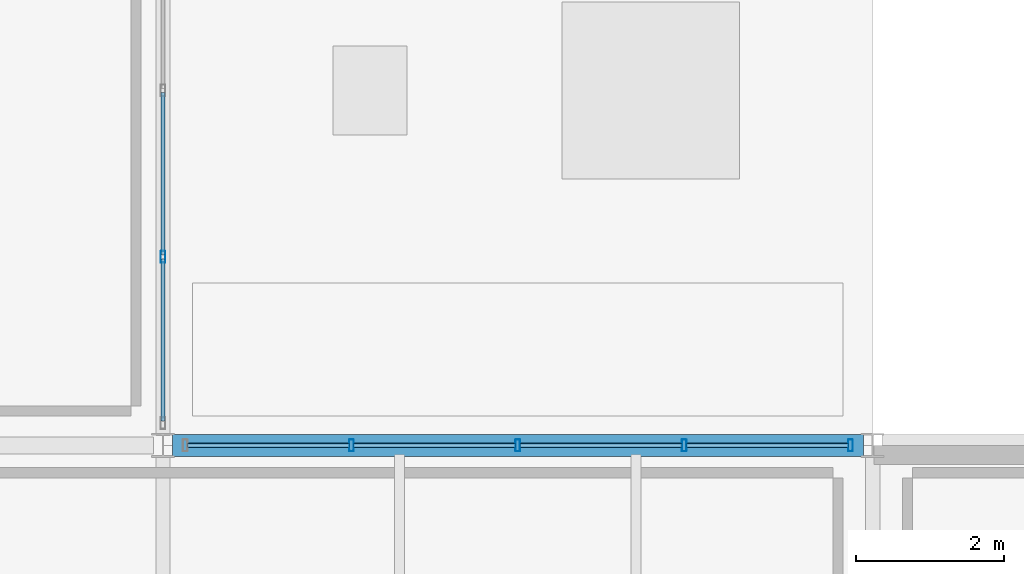
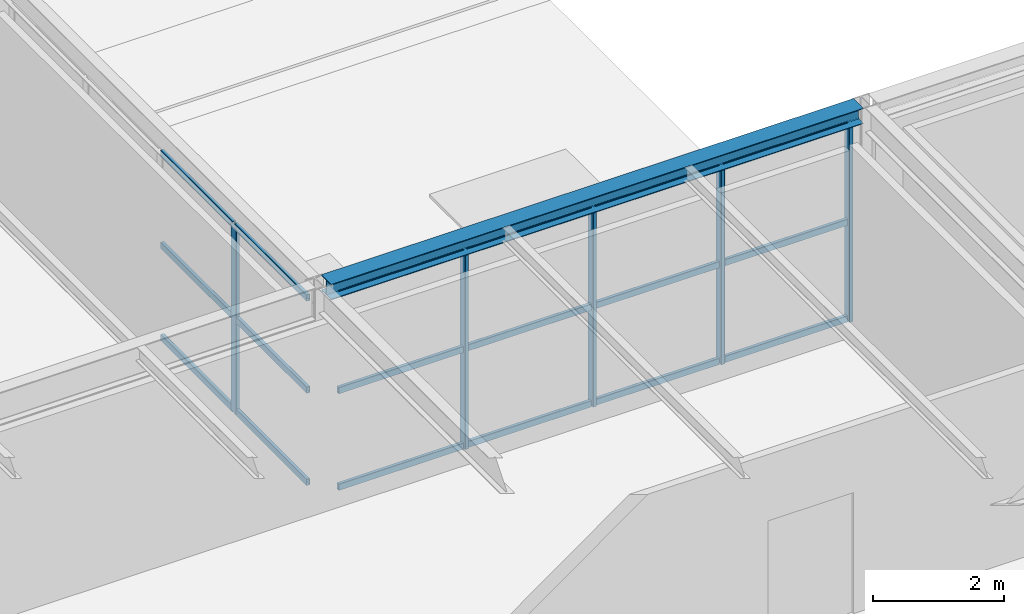
# One storey, part 16 of 50: 23 members, 1 beam, 2 elements without a shape of their own.
"""IFC4 building model written with IfcOpenShell, lengths in metres."""

import ifcopenshell
import ifcopenshell.guid

model = None  # the IFC model being written
_history = None  # IfcOwnerHistory: only IFC2X3 demands one
_inside = {}  # id of a spatial element -> (the spatial element, [elements in it])
_under = {}  # id of a project, library or spatial element -> (it, [spatial elements below it])
_declared = {}  # id of a project -> (the project, [libraries it declares])
_typed = {}  # id of a type object -> (the type object, [elements of that type])
_made_of = {}  # id of a material, layer set ... -> (it, [elements and type objects made of it])


def new_model(schema):
    """Start an empty IFC model of exactly this schema.

    Asked for "IFC4X3", IfcOpenShell would pick the latest addendum, in which some entities
    have other attributes; the version numbers below select the first issue.
    IFC2X3 requires an IfcOwnerHistory on every rooted entity: one is made here for all.
    """
    global model, _history
    if schema == "IFC4X3":
        model = ifcopenshell.file(schema_version=(4, 3, 0, 0))
    else:
        model = ifcopenshell.file(schema=schema)
    _inside.clear()
    _under.clear()
    _declared.clear()
    _typed.clear()
    _made_of.clear()
    _history = None
    if model.schema == "IFC2X3":
        org = make("IfcOrganization", Name="unknown")
        user = make(
            "IfcPersonAndOrganization",
            ThePerson=make("IfcPerson", FamilyName="unknown"),
            TheOrganization=org,
        )
        app = make(
            "IfcApplication",
            ApplicationDeveloper=org,
            Version="unknown",
            ApplicationFullName="unknown",
            ApplicationIdentifier="unknown",
        )
        _history = make(
            "IfcOwnerHistory",
            OwningUser=user,
            OwningApplication=app,
            ChangeAction="ADDED",
            CreationDate=0,
        )
    return model


def make(cls, **values):
    """One entity of the class cls with the attributes given. An attribute that is None is left unset."""
    return model.create_entity(
        cls, **{name: value for name, value in values.items() if value is not None}
    )


def rooted(cls, **values):
    """An entity with a GlobalId (a new one), such as an element, a storey or a relation."""
    return make(cls, GlobalId=ifcopenshell.guid.new(), OwnerHistory=_history, **values)


def si_unit(unit_type, name, prefix=None):
    """IfcSIUnit, for example si_unit("LENGTHUNIT", "METRE", prefix="MILLI")."""
    return make("IfcSIUnit", UnitType=unit_type, Prefix=prefix, Name=name)


def assignment(units):
    """IfcUnitAssignment: the units of a project."""
    return None if units is None else make("IfcUnitAssignment", Units=units)


def point(xyz):
    """IfcCartesianPoint."""
    return None if xyz is None else make("IfcCartesianPoint", Coordinates=xyz)


def direction(xyz):
    """IfcDirection."""
    return None if xyz is None else make("IfcDirection", DirectionRatios=xyz)


def frame(location, z_axis=None, x_axis=None):
    """IfcAxis2Placement3D, a coordinate frame: its origin and axes. An axis left out is left unset."""
    return make(
        "IfcAxis2Placement3D",
        Location=point(location),
        Axis=direction(z_axis),
        RefDirection=direction(x_axis),
    )


def frame_2d(location, x_axis=None):
    """IfcAxis2Placement2D, a coordinate frame in the plane: its origin and x axis."""
    return make(
        "IfcAxis2Placement2D", Location=point(location), RefDirection=direction(x_axis)
    )


def origin():
    """The frame at (0, 0, 0) with its axes left unset."""
    return frame((0.0, 0.0, 0.0))


def origin_2d():
    """The frame at (0, 0) in the plane with its x axis left unset."""
    return frame_2d((0.0, 0.0))


def place(relative_to, where):
    """IfcLocalPlacement: puts the frame where relative to a parent placement (None: the world)."""
    return make(
        "IfcLocalPlacement", PlacementRelTo=relative_to, RelativePlacement=where
    )


def context(
    kind, dimensions, precision=None, world=None, true_north=None, identifier=None
):
    """IfcGeometricRepresentationContext, for example the 3D "Model" context."""
    return make(
        "IfcGeometricRepresentationContext",
        ContextIdentifier=identifier,
        ContextType=kind,
        CoordinateSpaceDimension=dimensions,
        Precision=precision,
        WorldCoordinateSystem=world,
        TrueNorth=true_north,
    )


def subcontext(parent, identifier, kind, view, scale=None):
    """IfcGeometricRepresentationSubContext, for example "Body" below "Model"."""
    return make(
        "IfcGeometricRepresentationSubContext",
        ContextIdentifier=identifier,
        ContextType=kind,
        ParentContext=parent,
        TargetScale=scale,
        TargetView=view,
    )


def project(units=None, contexts=None):
    """IfcProject with its units and contexts."""
    return rooted(
        "IfcProject",
        Name="project",
        RepresentationContexts=contexts,
        UnitsInContext=assignment(units),
    )


def spatial(cls, under=None, at=None, **own):
    """A site, building, storey or space (cls), placed at a placement, below another one or the project."""
    s = rooted(cls, ObjectPlacement=at, **own)
    if under is not None:
        _under.setdefault(under.id(), (under, []))[1].append(s)
    return s


def profile(cls, at=None, kind="AREA", **sizes):
    """A parametric profile (cls). Its sizes go by their IFC names, for example OverallWidth=200.0."""
    return make(cls, ProfileType=kind, Position=at, **sizes)


def hollow_rectangle(**sizes):
    """IfcRectangleHollowProfileDef."""
    return profile("IfcRectangleHollowProfileDef", **sizes)


def i_section(**sizes):
    """IfcIShapeProfileDef."""
    return profile("IfcIShapeProfileDef", **sizes)


def extrude(swept, where, along, depth):
    """IfcExtrudedAreaSolid: the profile swept, set in the frame where, extruded along a direction by depth."""
    return make(
        "IfcExtrudedAreaSolid",
        SweptArea=swept,
        Position=where,
        ExtrudedDirection=direction(along),
        Depth=depth,
    )


def shape(context_of_items, identifier, shape_type, items):
    """IfcShapeRepresentation: the items that make up one representation, for example the "Body"."""
    return make(
        "IfcShapeRepresentation",
        ContextOfItems=context_of_items,
        RepresentationIdentifier=identifier,
        RepresentationType=shape_type,
        Items=items,
    )


def material(Name=None, Category=None):
    """IfcMaterial."""
    return make("IfcMaterial", Name=Name, Category=Category)


def material_profile(
    of_material, cross_section, Name=None, Category=None, Priority=None
):
    """IfcMaterialProfile: a cross section and its material."""
    return make(
        "IfcMaterialProfile",
        Name=Name,
        Material=of_material,
        Profile=cross_section,
        Priority=Priority,
        Category=Category,
    )


def profile_set(profiles, Name=None, composite=None):
    """IfcMaterialProfileSet."""
    return make(
        "IfcMaterialProfileSet",
        Name=Name,
        MaterialProfiles=profiles,
        CompositeProfile=composite,
    )


def made_of(thing, what):
    """Note that an element or type object is made of a material, layer set ...; save() writes the relation."""
    if what is not None:
        _made_of.setdefault(what.id(), (what, []))[1].append(thing)
    return thing


def type_object(cls, material=None, **own):
    """A type object (cls), such as IfcWallType, which elements share."""
    return made_of(rooted(cls, **own), material)


def element(
    cls,
    number,
    at=None,
    inside=None,
    cuts=None,
    type_object=None,
    material=None,
    context=None,
    identifier="Body",
    shape_type=None,
    held_by="IfcProductDefinitionShape",
    body=None,
    shapes=None,
    **own,
):
    """One element of the class cls, such as IfcWall. Its Tag is "e" and its number.

    at: its placement. inside: the storey or other place that contains it. cuts: it is an
    opening in that element (IfcRelVoidsElement). A single representation is given by context,
    identifier, shape_type and body (its items); several are given by shapes. held_by: the class
    of the entity that holds the representations. save() writes the other relations.
    """
    e = rooted(cls, Tag="e%d" % number, ObjectPlacement=at, **own)
    if body is not None:
        shapes = [shape(context, identifier, shape_type, body)]
    if shapes is not None:
        e.Representation = make(held_by, Representations=shapes)
    if inside is not None:
        _inside.setdefault(inside.id(), (inside, []))[1].append(e)
    if cuts is not None:
        rooted(
            "IfcRelVoidsElement", RelatingBuildingElement=cuts, RelatedOpeningElement=e
        )
    if type_object is not None:
        _typed.setdefault(type_object.id(), (type_object, []))[1].append(e)
    return made_of(e, material)


def aggregate(whole, parts):
    """IfcRelAggregates: a whole, such as a stair, and the parts it consists of."""
    return rooted("IfcRelAggregates", RelatingObject=whole, RelatedObjects=parts)


def save(model, path):
    """Write the relations noted so far, then the file.

    IfcRelAggregates (storeys below a building ...), IfcRelContainedInSpatialStructure (elements
    in a storey), IfcRelDefinesByType, IfcRelAssociatesMaterial and IfcRelDeclares: one each for
    every whole, place, type object, material and project.
    """
    for whole, parts in _under.values():
        aggregate(whole, parts)
    for where, things in _inside.values():
        rooted(
            "IfcRelContainedInSpatialStructure",
            RelatedElements=things,
            RelatingStructure=where,
        )
    for kind, things in _typed.values():
        rooted("IfcRelDefinesByType", RelatedObjects=things, RelatingType=kind)
    for what, things in _made_of.values():
        rooted("IfcRelAssociatesMaterial", RelatedObjects=things, RelatingMaterial=what)
    for by, libraries in _declared.values():
        rooted("IfcRelDeclares", RelatingContext=by, RelatedDefinitions=libraries)
    model.write(path)


model = new_model("IFC4")

# Units and contexts
model_context = context("Model", 3, precision=1e-05, world=origin(), true_north=direction((0.0, 1.0)))
body_context = subcontext(model_context, "Body", "Model", "MODEL_VIEW")
ifc_project = project(units=[si_unit("LENGTHUNIT", "METRE"), si_unit("AREAUNIT", "SQUARE_METRE"), si_unit("VOLUMEUNIT", "CUBIC_METRE"), si_unit("PLANEANGLEUNIT", "RADIAN"), si_unit("MASSUNIT", "GRAM", prefix="KILO")], contexts=[model_context])

# Site, building, storey
site_placement = place(None, origin())
site = spatial("IfcSite", under=ifc_project, at=site_placement, CompositionType="ELEMENT")
building_placement = place(site_placement, origin())
building = spatial("IfcBuilding", under=site, at=building_placement, Name="Coralgate Yard Interchange", CompositionType="ELEMENT")
storey_placement = place(building_placement, frame((0.0, 0.0, 14.699951171875)))
storey = spatial("IfcBuildingStorey", under=building, at=storey_placement, Name="L03", CompositionType="ELEMENT", Elevation=14.699951171875)

# Beam
ifc_material_1 = material(Name="Structural steel S355J2", Category="steel")
ifc_material_profile_1 = material_profile(ifc_material_1, i_section(OverallWidth=0.300048828125, OverallDepth=0.2900390625, WebThickness=0.008544921875, FlangeThickness=0.013916015625, FilletRadius=0.027099609375, at=origin_2d()), Name="HEA 300")
ifc_profile_set_1 = profile_set([ifc_material_profile_1], Name="Structural steel S355J2")
beam_type = type_object("IfcBeamType", Name="BM-SP-2", PredefinedType="SPANDREL", material=ifc_profile_set_1)
beam_placement = place(storey_placement, frame((19.32568359375, 19.199951171875, 3.804931640625), z_axis=(1.0, 0.0, 0.0), x_axis=(0.0, 1.0, 0.0)))
element("IfcBeam", 1, at=beam_placement, inside=storey, type_object=beam_type, Name="L03 primary grid beam Y2 X2-3", PredefinedType="SPANDREL", context=body_context, shape_type="SweptSolid", body=[
    extrude(i_section(OverallWidth=0.300048828125, OverallDepth=0.2900390625, WebThickness=0.008544921875, FlangeThickness=0.013916015625, FilletRadius=0.027099609375, at=origin_2d()), origin(), (0.0, 0.0, 1.0), 9.3486328125),
])

# Curtain wall, member
ifc_material_2 = material(Name="Anodised coastal aluminium and solar-control low-E glass", Category="aluminium")
curtain_wall_type = type_object("IfcCurtainWallType", Name="CW-CW-L03-A", PredefinedType="NOTDEFINED", material=ifc_material_2)
curtain_wall_1_placement = place(storey_placement, origin())
curtain_wall_1 = element("IfcCurtainWall", 2, at=curtain_wall_1_placement, inside=storey, type_object=curtain_wall_type, Name="L03 unitised curtain wall CW-L03-E-01-02", PredefinedType="NOTDEFINED")
ifc_material_3 = material(Name="Anodised coastal aluminium 6063-T6", Category="aluminium")
ifc_material_profile_2 = material_profile(ifc_material_3, hollow_rectangle(XDim=0.06494140625, YDim=0.159912109375, WallThickness=0.00390625, InnerFilletRadius=0.00390625, OuterFilletRadius=0.008056640625, at=origin_2d()), Name="ALU 65x160x4")
ifc_profile_set_2 = profile_set([ifc_material_profile_2], Name="Anodised coastal aluminium 6063-T6")
member_type_1 = type_object("IfcMemberType", Name="MB-MUL-160", PredefinedType="MULLION", material=ifc_profile_set_2)
member_1_placement = place(storey_placement, frame((19.199951171875, 21.75, 0.0), z_axis=(0.0, 0.0, 1.0), x_axis=(1.0, 0.0, 0.0)))
member_1 = element("IfcMember", 3, at=member_1_placement, type_object=member_type_1, Name="CW-L03-E-01-02 vertical mullion 4", PredefinedType="MULLION", context=body_context, shape_type="SweptSolid", body=[
    extrude(hollow_rectangle(XDim=0.06494140625, YDim=0.159912109375, WallThickness=0.00390625, InnerFilletRadius=0.00390625, OuterFilletRadius=0.008056640625, at=origin_2d()), origin(), (0.0, 0.0, 1.0), 3.4931640625),
])

# Curtain wall, members
curtain_wall_2_placement = place(storey_placement, origin())
curtain_wall_2 = element("IfcCurtainWall", 4, at=curtain_wall_2_placement, inside=storey, type_object=curtain_wall_type, Name="L03 unitised curtain wall CW-L03-N-02-01", PredefinedType="NOTDEFINED")
member_2_placement = place(storey_placement, frame((21.75, 19.199951171875, 0.0), z_axis=(0.0, 0.0, 1.0), x_axis=(1.0, 0.0, 0.0)))
member_2 = element("IfcMember", 5, at=member_2_placement, type_object=member_type_1, Name="CW-L03-N-02-01 vertical mullion 2", PredefinedType="MULLION", context=body_context, shape_type="SweptSolid", body=[
    extrude(hollow_rectangle(XDim=0.06494140625, YDim=0.159912109375, WallThickness=0.00390625, InnerFilletRadius=0.00390625, OuterFilletRadius=0.008056640625, at=origin_2d()), origin(), (0.0, 0.0, 1.0), 3.66015625),
])
member_3_placement = place(storey_placement, frame((24.0, 19.199951171875, 0.0), z_axis=(0.0, 0.0, 1.0), x_axis=(1.0, 0.0, 0.0)))
member_3 = element("IfcMember", 6, at=member_3_placement, type_object=member_type_1, Name="CW-L03-N-02-01 vertical mullion 3", PredefinedType="MULLION", context=body_context, shape_type="SweptSolid", body=[
    extrude(hollow_rectangle(XDim=0.06494140625, YDim=0.159912109375, WallThickness=0.00390625, InnerFilletRadius=0.00390625, OuterFilletRadius=0.008056640625, at=origin_2d()), origin(), (0.0, 0.0, 1.0), 3.66015625),
])
member_4_placement = place(storey_placement, frame((26.25, 19.199951171875, 0.0), z_axis=(0.0, 0.0, 1.0), x_axis=(1.0, 0.0, 0.0)))
member_4 = element("IfcMember", 7, at=member_4_placement, type_object=member_type_1, Name="CW-L03-N-02-01 vertical mullion 4", PredefinedType="MULLION", context=body_context, shape_type="SweptSolid", body=[
    extrude(hollow_rectangle(XDim=0.06494140625, YDim=0.159912109375, WallThickness=0.00390625, InnerFilletRadius=0.00390625, OuterFilletRadius=0.008056640625, at=origin_2d()), origin(), (0.0, 0.0, 1.0), 3.66015625),
])
member_5_placement = place(storey_placement, frame((28.5, 19.199951171875, 0.0), z_axis=(0.0, 0.0, 1.0), x_axis=(1.0, 0.0, 0.0)))
member_5 = element("IfcMember", 8, at=member_5_placement, type_object=member_type_1, Name="CW-L03-N-02-01 vertical mullion 5", PredefinedType="MULLION", context=body_context, shape_type="SweptSolid", body=[
    extrude(hollow_rectangle(XDim=0.06494140625, YDim=0.159912109375, WallThickness=0.00390625, InnerFilletRadius=0.00390625, OuterFilletRadius=0.008056640625, at=origin_2d()), origin(), (0.0, 0.0, 1.0), 3.66015625),
])

# Member
ifc_material_profile_3 = material_profile(ifc_material_3, hollow_rectangle(XDim=0.06005859375, YDim=0.1201171875, WallThickness=0.00341796875, InnerFilletRadius=0.00341796875, OuterFilletRadius=0.007080078125, at=origin_2d()), Name="ALU 60x120x3.5")
ifc_profile_set_3 = profile_set([ifc_material_profile_3], Name="Anodised coastal aluminium 6063-T6")
member_type_2 = type_object("IfcMemberType", Name="MB-TRN-120", PredefinedType="USERDEFINED", material=ifc_profile_set_3)
member_6_placement = place(storey_placement, frame((19.199951171875, 23.969970703125, 0.03515625), z_axis=(0.0, -1.0, 0.0), x_axis=(1.0, 0.0, 0.0)))
member_6 = element("IfcMember", 9, at=member_6_placement, type_object=member_type_2, Name="CW-L03-E-01-02 horizontal transom 3-1", ObjectType="TRANSOM", PredefinedType="USERDEFINED", context=body_context, shape_type="SweptSolid", body=[
    extrude(hollow_rectangle(XDim=0.06005859375, YDim=0.1201171875, WallThickness=0.00341796875, InnerFilletRadius=0.00341796875, OuterFilletRadius=0.007080078125, at=origin_2d()), origin(), (0.0, 0.0, 1.0), 2.18994140625),
])

member_7_placement = place(storey_placement, frame((19.199951171875, 23.969970703125, 1.74658203125), z_axis=(0.0, -1.0, 0.0), x_axis=(1.0, 0.0, 0.0)))
member_7 = element("IfcMember", 10, at=member_7_placement, type_object=member_type_2, Name="CW-L03-E-01-02 horizontal transom 3-2", ObjectType="TRANSOM", PredefinedType="USERDEFINED", context=body_context, shape_type="SweptSolid", body=[
    extrude(hollow_rectangle(XDim=0.06005859375, YDim=0.1201171875, WallThickness=0.00341796875, InnerFilletRadius=0.00341796875, OuterFilletRadius=0.007080078125, at=origin_2d()), origin(), (0.0, 0.0, 1.0), 2.18994140625),
])

member_8_placement = place(storey_placement, frame((19.199951171875, 23.969970703125, 3.4580078125), z_axis=(0.0, -1.0, 0.0), x_axis=(1.0, 0.0, 0.0)))
member_8 = element("IfcMember", 11, at=member_8_placement, type_object=member_type_2, Name="CW-L03-E-01-02 horizontal transom 3-3", ObjectType="TRANSOM", PredefinedType="USERDEFINED", context=body_context, shape_type="SweptSolid", body=[
    extrude(hollow_rectangle(XDim=0.06005859375, YDim=0.1201171875, WallThickness=0.00341796875, InnerFilletRadius=0.00341796875, OuterFilletRadius=0.007080078125, at=origin_2d()), origin(), (0.0, 0.0, 1.0), 2.18994140625),
])

member_9_placement = place(storey_placement, frame((19.199951171875, 21.719970703125, 0.03515625), z_axis=(0.0, -1.0, 0.0), x_axis=(1.0, 0.0, 0.0)))
member_9 = element("IfcMember", 12, at=member_9_placement, type_object=member_type_2, Name="CW-L03-E-01-02 horizontal transom 4-1", ObjectType="TRANSOM", PredefinedType="USERDEFINED", context=body_context, shape_type="SweptSolid", body=[
    extrude(hollow_rectangle(XDim=0.06005859375, YDim=0.1201171875, WallThickness=0.00341796875, InnerFilletRadius=0.00341796875, OuterFilletRadius=0.007080078125, at=origin_2d()), origin(), (0.0, 0.0, 1.0), 2.18994140625),
])

member_10_placement = place(storey_placement, frame((19.199951171875, 21.719970703125, 1.74658203125), z_axis=(0.0, -1.0, 0.0), x_axis=(1.0, 0.0, 0.0)))
member_10 = element("IfcMember", 13, at=member_10_placement, type_object=member_type_2, Name="CW-L03-E-01-02 horizontal transom 4-2", ObjectType="TRANSOM", PredefinedType="USERDEFINED", context=body_context, shape_type="SweptSolid", body=[
    extrude(hollow_rectangle(XDim=0.06005859375, YDim=0.1201171875, WallThickness=0.00341796875, InnerFilletRadius=0.00341796875, OuterFilletRadius=0.007080078125, at=origin_2d()), origin(), (0.0, 0.0, 1.0), 2.18994140625),
])

member_11_placement = place(storey_placement, frame((19.199951171875, 21.719970703125, 3.4580078125), z_axis=(0.0, -1.0, 0.0), x_axis=(1.0, 0.0, 0.0)))
member_11 = element("IfcMember", 14, at=member_11_placement, type_object=member_type_2, Name="CW-L03-E-01-02 horizontal transom 4-3", ObjectType="TRANSOM", PredefinedType="USERDEFINED", context=body_context, shape_type="SweptSolid", body=[
    extrude(hollow_rectangle(XDim=0.06005859375, YDim=0.1201171875, WallThickness=0.00341796875, InnerFilletRadius=0.00341796875, OuterFilletRadius=0.007080078125, at=origin_2d()), origin(), (0.0, 0.0, 1.0), 2.18994140625),
])

aggregate(curtain_wall_1, [member_1, member_6, member_7, member_8, member_9, member_10, member_11])

member_12_placement = place(storey_placement, frame((19.530029296875, 19.199951171875, 0.03515625), z_axis=(1.0, 0.0, 0.0), x_axis=(0.0, 1.0, 0.0)))
member_12 = element("IfcMember", 15, at=member_12_placement, type_object=member_type_2, Name="CW-L03-N-02-01 horizontal transom 1-1", ObjectType="TRANSOM", PredefinedType="USERDEFINED", context=body_context, shape_type="SweptSolid", body=[
    extrude(hollow_rectangle(XDim=0.06005859375, YDim=0.1201171875, WallThickness=0.00341796875, InnerFilletRadius=0.00341796875, OuterFilletRadius=0.007080078125, at=origin_2d()), origin(), (0.0, 0.0, 1.0), 2.18994140625),
])

member_13_placement = place(storey_placement, frame((19.530029296875, 19.199951171875, 1.830078125), z_axis=(1.0, 0.0, 0.0), x_axis=(0.0, 1.0, 0.0)))
member_13 = element("IfcMember", 16, at=member_13_placement, type_object=member_type_2, Name="CW-L03-N-02-01 horizontal transom 1-2", ObjectType="TRANSOM", PredefinedType="USERDEFINED", context=body_context, shape_type="SweptSolid", body=[
    extrude(hollow_rectangle(XDim=0.06005859375, YDim=0.1201171875, WallThickness=0.00341796875, InnerFilletRadius=0.00341796875, OuterFilletRadius=0.007080078125, at=origin_2d()), origin(), (0.0, 0.0, 1.0), 2.18994140625),
])

member_14_placement = place(storey_placement, frame((19.530029296875, 19.199951171875, 3.625), z_axis=(1.0, 0.0, 0.0), x_axis=(0.0, 1.0, 0.0)))
member_14 = element("IfcMember", 17, at=member_14_placement, type_object=member_type_2, Name="CW-L03-N-02-01 horizontal transom 1-3", ObjectType="TRANSOM", PredefinedType="USERDEFINED", context=body_context, shape_type="SweptSolid", body=[
    extrude(hollow_rectangle(XDim=0.06005859375, YDim=0.1201171875, WallThickness=0.00341796875, InnerFilletRadius=0.00341796875, OuterFilletRadius=0.007080078125, at=origin_2d()), origin(), (0.0, 0.0, 1.0), 2.18994140625),
])

member_15_placement = place(storey_placement, frame((21.780029296875, 19.199951171875, 0.03515625), z_axis=(1.0, 0.0, 0.0), x_axis=(0.0, 1.0, 0.0)))
member_15 = element("IfcMember", 18, at=member_15_placement, type_object=member_type_2, Name="CW-L03-N-02-01 horizontal transom 2-1", ObjectType="TRANSOM", PredefinedType="USERDEFINED", context=body_context, shape_type="SweptSolid", body=[
    extrude(hollow_rectangle(XDim=0.06005859375, YDim=0.1201171875, WallThickness=0.00341796875, InnerFilletRadius=0.00341796875, OuterFilletRadius=0.007080078125, at=origin_2d()), origin(), (0.0, 0.0, 1.0), 2.18994140625),
])

member_16_placement = place(storey_placement, frame((21.780029296875, 19.199951171875, 1.830078125), z_axis=(1.0, 0.0, 0.0), x_axis=(0.0, 1.0, 0.0)))
member_16 = element("IfcMember", 19, at=member_16_placement, type_object=member_type_2, Name="CW-L03-N-02-01 horizontal transom 2-2", ObjectType="TRANSOM", PredefinedType="USERDEFINED", context=body_context, shape_type="SweptSolid", body=[
    extrude(hollow_rectangle(XDim=0.06005859375, YDim=0.1201171875, WallThickness=0.00341796875, InnerFilletRadius=0.00341796875, OuterFilletRadius=0.007080078125, at=origin_2d()), origin(), (0.0, 0.0, 1.0), 2.18994140625),
])

member_17_placement = place(storey_placement, frame((21.780029296875, 19.199951171875, 3.625), z_axis=(1.0, 0.0, 0.0), x_axis=(0.0, 1.0, 0.0)))
member_17 = element("IfcMember", 20, at=member_17_placement, type_object=member_type_2, Name="CW-L03-N-02-01 horizontal transom 2-3", ObjectType="TRANSOM", PredefinedType="USERDEFINED", context=body_context, shape_type="SweptSolid", body=[
    extrude(hollow_rectangle(XDim=0.06005859375, YDim=0.1201171875, WallThickness=0.00341796875, InnerFilletRadius=0.00341796875, OuterFilletRadius=0.007080078125, at=origin_2d()), origin(), (0.0, 0.0, 1.0), 2.18994140625),
])

member_18_placement = place(storey_placement, frame((24.030029296875, 19.199951171875, 0.03515625), z_axis=(1.0, 0.0, 0.0), x_axis=(0.0, 1.0, 0.0)))
member_18 = element("IfcMember", 21, at=member_18_placement, type_object=member_type_2, Name="CW-L03-N-02-01 horizontal transom 3-1", ObjectType="TRANSOM", PredefinedType="USERDEFINED", context=body_context, shape_type="SweptSolid", body=[
    extrude(hollow_rectangle(XDim=0.06005859375, YDim=0.1201171875, WallThickness=0.00341796875, InnerFilletRadius=0.00341796875, OuterFilletRadius=0.007080078125, at=origin_2d()), origin(), (0.0, 0.0, 1.0), 2.18994140625),
])

member_19_placement = place(storey_placement, frame((24.030029296875, 19.199951171875, 1.830078125), z_axis=(1.0, 0.0, 0.0), x_axis=(0.0, 1.0, 0.0)))
member_19 = element("IfcMember", 22, at=member_19_placement, type_object=member_type_2, Name="CW-L03-N-02-01 horizontal transom 3-2", ObjectType="TRANSOM", PredefinedType="USERDEFINED", context=body_context, shape_type="SweptSolid", body=[
    extrude(hollow_rectangle(XDim=0.06005859375, YDim=0.1201171875, WallThickness=0.00341796875, InnerFilletRadius=0.00341796875, OuterFilletRadius=0.007080078125, at=origin_2d()), origin(), (0.0, 0.0, 1.0), 2.18994140625),
])

member_20_placement = place(storey_placement, frame((24.030029296875, 19.199951171875, 3.625), z_axis=(1.0, 0.0, 0.0), x_axis=(0.0, 1.0, 0.0)))
member_20 = element("IfcMember", 23, at=member_20_placement, type_object=member_type_2, Name="CW-L03-N-02-01 horizontal transom 3-3", ObjectType="TRANSOM", PredefinedType="USERDEFINED", context=body_context, shape_type="SweptSolid", body=[
    extrude(hollow_rectangle(XDim=0.06005859375, YDim=0.1201171875, WallThickness=0.00341796875, InnerFilletRadius=0.00341796875, OuterFilletRadius=0.007080078125, at=origin_2d()), origin(), (0.0, 0.0, 1.0), 2.18994140625),
])

member_21_placement = place(storey_placement, frame((26.280029296875, 19.199951171875, 0.03515625), z_axis=(1.0, 0.0, 0.0), x_axis=(0.0, 1.0, 0.0)))
member_21 = element("IfcMember", 24, at=member_21_placement, type_object=member_type_2, Name="CW-L03-N-02-01 horizontal transom 4-1", ObjectType="TRANSOM", PredefinedType="USERDEFINED", context=body_context, shape_type="SweptSolid", body=[
    extrude(hollow_rectangle(XDim=0.06005859375, YDim=0.1201171875, WallThickness=0.00341796875, InnerFilletRadius=0.00341796875, OuterFilletRadius=0.007080078125, at=origin_2d()), origin(), (0.0, 0.0, 1.0), 2.18994140625),
])

member_22_placement = place(storey_placement, frame((26.280029296875, 19.199951171875, 1.830078125), z_axis=(1.0, 0.0, 0.0), x_axis=(0.0, 1.0, 0.0)))
member_22 = element("IfcMember", 25, at=member_22_placement, type_object=member_type_2, Name="CW-L03-N-02-01 horizontal transom 4-2", ObjectType="TRANSOM", PredefinedType="USERDEFINED", context=body_context, shape_type="SweptSolid", body=[
    extrude(hollow_rectangle(XDim=0.06005859375, YDim=0.1201171875, WallThickness=0.00341796875, InnerFilletRadius=0.00341796875, OuterFilletRadius=0.007080078125, at=origin_2d()), origin(), (0.0, 0.0, 1.0), 2.18994140625),
])

member_23_placement = place(storey_placement, frame((26.280029296875, 19.199951171875, 3.625), z_axis=(1.0, 0.0, 0.0), x_axis=(0.0, 1.0, 0.0)))
member_23 = element("IfcMember", 26, at=member_23_placement, type_object=member_type_2, Name="CW-L03-N-02-01 horizontal transom 4-3", ObjectType="TRANSOM", PredefinedType="USERDEFINED", context=body_context, shape_type="SweptSolid", body=[
    extrude(hollow_rectangle(XDim=0.06005859375, YDim=0.1201171875, WallThickness=0.00341796875, InnerFilletRadius=0.00341796875, OuterFilletRadius=0.007080078125, at=origin_2d()), origin(), (0.0, 0.0, 1.0), 2.18994140625),
])

aggregate(curtain_wall_2, [member_2, member_3, member_4, member_5, member_12, member_13, member_14, member_15, member_16, member_17, member_18, member_19, member_20, member_21, member_22, member_23])

save(model, "model.ifc")
